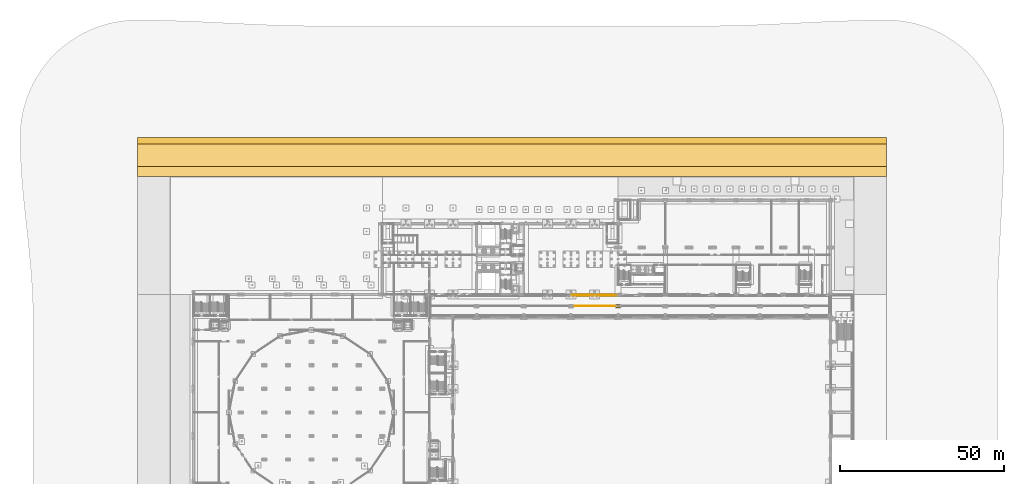
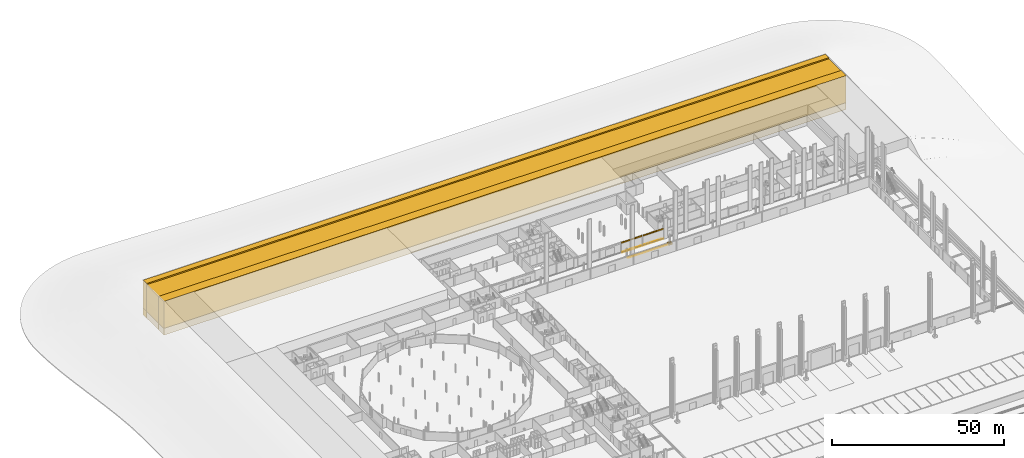
# One storey, part 140 of 148: 14 coverings.
"""IFC4 building model written with IfcOpenShell, lengths in metres."""

from ifc_helpers import new_model, si_unit, direction, frame, origin, origin_2d, place, context, subcontext, project, spatial, polyline, rectangle, outline, extrude, material, layer, layer_set, type_object, element, save


model = new_model("IFC4")

# Units and contexts
model_context = context("Model", 3, precision=1e-05, world=origin(), true_north=direction((0.0, 1.0)))
body_context = subcontext(model_context, "Body", "Model", "MODEL_VIEW")
ifc_project = project(units=[si_unit("LENGTHUNIT", "METRE"), si_unit("AREAUNIT", "SQUARE_METRE"), si_unit("VOLUMEUNIT", "CUBIC_METRE"), si_unit("PLANEANGLEUNIT", "RADIAN"), si_unit("MASSUNIT", "GRAM", prefix="KILO")], contexts=[model_context])

# Site, building, storey
site_placement = place(None, origin())
site = spatial("IfcSite", under=ifc_project, at=site_placement, CompositionType="ELEMENT")
building_placement = place(site_placement, origin())
building = spatial("IfcBuilding", under=site, at=building_placement, Name="Kupolbacken Congress Centre", CompositionType="ELEMENT")
storey_placement = place(building_placement, origin())
storey = spatial("IfcBuildingStorey", under=building, at=storey_placement, Name="L00", CompositionType="ELEMENT", Elevation=0.0)

# Coverings
ifc_material_1 = material(Name="Limestone cladding", Category="masonry")
ifc_layer_1 = layer(ifc_material_1, 0.1201171875)
ifc_layer_set_1 = layer_set([ifc_layer_1], Name="Limestone cladding")
covering_type_1 = type_object("IfcCoveringType", Name="CV1 limestone cladding band 120", PredefinedType="CLADDING", material=ifc_layer_set_1)
covering_1_placement = place(storey_placement, frame((126.0, 122.282470703125, 3.1201171875), z_axis=(0.0, 0.0, 1.0), x_axis=(1.0, 0.0, 0.0)))
element("IfcCovering", 1, at=covering_1_placement, inside=storey, type_object=covering_type_1, Name="E/T/S/L00/005/band", PredefinedType="CLADDING", context=body_context, shape_type="SweptSolid", body=[
    extrude(rectangle(XDim=6.89306640625, YDim=0.06494140625, at=origin_2d()), origin(), (0.0, 0.0, 1.0), 0.47998046875),
])
covering_2_placement = place(storey_placement, frame((133.20166015625, 122.282470703125, 3.1201171875), z_axis=(0.0, 0.0, 1.0), x_axis=(1.0, 0.0, 0.0)))
element("IfcCovering", 2, at=covering_2_placement, inside=storey, type_object=covering_type_1, Name="E/T/S/L00/006/band", PredefinedType="CLADDING", context=body_context, shape_type="SweptSolid", body=[
    extrude(rectangle(XDim=6.896484375, YDim=0.06494140625, at=origin_2d()), origin(), (0.0, 0.0, 1.0), 0.47998046875),
])
ifc_material_2 = material(Name="Limestone cladding", Category="masonry")
ifc_layer_2 = layer(ifc_material_2, 0.60009765625)
ifc_layer_set_2 = layer_set([ifc_layer_2], Name="Limestone cladding")
covering_type_2 = type_object("IfcCoveringType", Name="CV5 limestone arcade pier 600", PredefinedType="CLADDING", material=ifc_layer_set_2)
covering_3_placement = place(storey_placement, frame((0.0, 0.0, 0.02001953125)))
element("IfcCovering", 3, at=covering_3_placement, inside=storey, type_object=covering_type_2, Name="Mast pedestal", PredefinedType="CLADDING", context=body_context, shape_type="SweptSolid", body=[
    extrude(outline(polyline([(136.199951171875, 118.300048828125), (136.199951171875, 119.300048828125), (137.39990234375, 119.300048828125), (137.39990234375, 118.300048828125), (136.199951171875, 118.300048828125)]), holes=[polyline([(137.002197265625, 118.82666015625), (136.9970703125, 118.852783203125), (136.98828125, 118.8779296875), (136.9765625, 118.902099609375), (136.9619140625, 118.924072265625), (136.944091796875, 118.944091796875), (136.924072265625, 118.9619140625), (136.902099609375, 118.9765625), (136.8779296875, 118.98828125), (136.852783203125, 118.9970703125), (136.82666015625, 119.002197265625), (136.800048828125, 119.00390625), (136.7734375, 119.002197265625), (136.747314453125, 118.9970703125), (136.721923828125, 118.98828125), (136.697998046875, 118.9765625), (136.67578125, 118.9619140625), (136.65576171875, 118.944091796875), (136.63818359375, 118.924072265625), (136.623291015625, 118.902099609375), (136.611572265625, 118.8779296875), (136.60302734375, 118.852783203125), (136.597900390625, 118.82666015625), (136.59619140625, 118.800048828125), (136.597900390625, 118.7734375), (136.60302734375, 118.747314453125), (136.611572265625, 118.721923828125), (136.623291015625, 118.697998046875), (136.63818359375, 118.67578125), (136.65576171875, 118.65576171875), (136.67578125, 118.63818359375), (136.697998046875, 118.623291015625), (136.721923828125, 118.611572265625), (136.747314453125, 118.60302734375), (136.7734375, 118.597900390625), (136.800048828125, 118.59619140625), (136.82666015625, 118.597900390625), (136.852783203125, 118.60302734375), (136.8779296875, 118.611572265625), (136.902099609375, 118.623291015625), (136.924072265625, 118.63818359375), (136.944091796875, 118.65576171875), (136.9619140625, 118.67578125), (136.9765625, 118.697998046875), (136.98828125, 118.721923828125), (136.9970703125, 118.747314453125), (137.002197265625, 118.7734375), (137.00390625, 118.800048828125), (137.002197265625, 118.82666015625)])]), origin(), (0.0, 0.0, 1.0), 0.60009765625),
])
ifc_material_3 = material(Name="Limestone cladding", Category="masonry")
ifc_layer_3 = layer(ifc_material_3, 0.02001953125)
ifc_layer_set_3 = layer_set([ifc_layer_3], Name="Limestone cladding")
covering_type_3 = type_object("IfcCoveringType", Name="GF1 limestone paving 20", PredefinedType="FLOORING", material=ifc_layer_set_3)
covering_4_placement = place(storey_placement, origin())
element("IfcCovering", 4, at=covering_4_placement, inside=storey, type_object=covering_type_3, Name="Bay and lane marking", PredefinedType="FLOORING", context=body_context, shape_type="SweptSolid", body=[
    extrude(outline(polyline([(136.361328125, 118.993896484375), (136.340576171875, 118.939208984375), (136.3291015625, 118.893798828125), (136.322021484375, 118.84375), (122.8779296875, 118.84375), (122.870849609375, 118.893798828125), (122.859375, 118.939208984375), (122.838623046875, 118.993896484375), (136.361328125, 118.993896484375)])), origin(), (0.0, 0.0, 1.0), 0.02001953125),
])
ifc_material_4 = material(Name="Asphalt", Category="masonry")
ifc_layer_4 = layer(ifc_material_4, 0.02001953125)
ifc_layer_set_4 = layer_set([ifc_layer_4], Name="Asphalt")
covering_type_4 = type_object("IfcCoveringType", Name="GF3 asphalt dock hardstanding 20", PredefinedType="FLOORING", material=ifc_layer_set_4)
covering_5_placement = place(storey_placement, origin())
element("IfcCovering", 5, at=covering_5_placement, inside=storey, type_object=covering_type_4, Name="Service lane asphalt", PredefinedType="FLOORING", context=body_context, shape_type="SweptSolid", body=[
    extrude(outline(polyline([(122.666748046875, 122.0009765625), (122.70458984375, 122.02880859375), (122.739501953125, 122.060546875), (122.774169921875, 122.099609375), (129.225830078125, 122.099609375), (129.260498046875, 122.060546875), (129.29541015625, 122.02880859375), (129.333251953125, 122.0009765625), (129.373779296875, 121.9765625), (129.3388671875, 121.99755859375), (122.6611328125, 121.99755859375), (122.626220703125, 121.9765625), (122.666748046875, 122.0009765625)])), origin(), (0.0, 0.0, 1.0), 0.02001953125),
])
covering_6_placement = place(storey_placement, origin())
element("IfcCovering", 6, at=covering_6_placement, inside=storey, type_object=covering_type_4, Name="Service lane asphalt", PredefinedType="FLOORING", context=body_context, shape_type="SweptSolid", body=[
    extrude(outline(polyline([(129.86669921875, 122.0009765625), (129.904541015625, 122.02880859375), (129.939453125, 122.060546875), (129.97412109375, 122.099609375), (135.917236328125, 122.099609375), (135.91357421875, 122.12548828125), (135.900146484375, 122.3974609375), (136.320068359375, 122.3974609375), (136.322265625, 122.352783203125), (136.3291015625, 122.306396484375), (136.340576171875, 122.2607421875), (136.3564453125, 122.21630859375), (136.376708984375, 122.173583984375), (136.40087890625, 122.13330078125), (136.428955078125, 122.095458984375), (136.460693359375, 122.060546875), (136.49560546875, 122.02880859375), (136.533203125, 122.0009765625), (136.57373046875, 121.9765625), (136.538818359375, 121.99755859375), (129.861083984375, 121.99755859375), (129.826416015625, 121.9765625), (129.86669921875, 122.0009765625)])), origin(), (0.0, 0.0, 1.0), 0.02001953125),
])
ifc_material_5 = material(Name="Granite setts", Category="masonry")
ifc_layer_5 = layer(ifc_material_5, 0.10009765625)
ifc_layer_set_5 = layer_set([ifc_layer_5], Name="Granite setts")
covering_type_5 = type_object("IfcCoveringType", Name="GR3 granite sett paving 100", PredefinedType="FLOORING", material=ifc_layer_set_5)
covering_7_placement = place(storey_placement, origin())
element("IfcCovering", 7, at=covering_7_placement, inside=storey, type_object=covering_type_5, Name="Granite kerb edging", PredefinedType="FLOORING", context=body_context, shape_type="SweptSolid", body=[
    extrude(outline(polyline([(129.1201171875, 122.3974609375), (129.122314453125, 122.352783203125), (129.129150390625, 122.306396484375), (129.140625, 122.2607421875), (129.156494140625, 122.21630859375), (129.176513671875, 122.173583984375), (129.200927734375, 122.13330078125), (129.225830078125, 122.099609375), (122.774169921875, 122.099609375), (122.799072265625, 122.13330078125), (122.823486328125, 122.173583984375), (122.843505859375, 122.21630859375), (122.859375, 122.2607421875), (122.870849609375, 122.306396484375), (122.877685546875, 122.352783203125), (122.8798828125, 122.3974609375), (129.1201171875, 122.3974609375)])), origin(), (0.0, 0.0, 1.0), 0.10009765625),
])
covering_8_placement = place(storey_placement, origin())
element("IfcCovering", 8, at=covering_8_placement, inside=storey, type_object=covering_type_5, Name="Granite kerb edging", PredefinedType="FLOORING", context=body_context, shape_type="SweptSolid", body=[
    extrude(outline(polyline([(135.900146484375, 122.3974609375), (135.91357421875, 122.12548828125), (135.917236328125, 122.099609375), (129.97412109375, 122.099609375), (129.9990234375, 122.13330078125), (130.0234375, 122.173583984375), (130.04345703125, 122.21630859375), (130.059326171875, 122.2607421875), (130.07080078125, 122.306396484375), (130.07763671875, 122.352783203125), (130.079833984375, 122.3974609375), (135.900146484375, 122.3974609375)])), origin(), (0.0, 0.0, 1.0), 0.10009765625),
])
ifc_material_6 = material(Name="Made ground", Category="soil")
ifc_layer_6 = layer(ifc_material_6, 2.39990234375)
ifc_layer_set_6 = layer_set([ifc_layer_6], Name="Made ground")
covering_type_6 = type_object("IfcCoveringType", Name="GR5 earthworks, made ground", PredefinedType="FLOORING", material=ifc_layer_set_6)
covering_9_placement = place(storey_placement, frame((0.0, 0.0, -2.5)))
element("IfcCovering", 9, at=covering_9_placement, inside=storey, type_object=covering_type_6, Name="Earthworks, upper street footway, made ground", PredefinedType="FLOORING", context=body_context, shape_type="SweptSolid", body=[
    extrude(outline(polyline([(-10.0, 158.39990234375), (-10.0, 161.39990234375), (218.800048828125, 161.39990234375), (218.800048828125, 158.39990234375), (208.800048828125, 158.39990234375), (0.0, 158.39990234375), (-10.0, 158.39990234375)])), origin(), (0.0, 0.0, 1.0), 9.60009765625),
])
covering_10_placement = place(storey_placement, frame((0.0, 0.0, -2.5)))
element("IfcCovering", 10, at=covering_10_placement, inside=storey, type_object=covering_type_6, Name="Earthworks, upper street carriageway, made ground", PredefinedType="FLOORING", context=body_context, shape_type="SweptSolid", body=[
    extrude(outline(polyline([(-10.0, 161.39990234375), (-10.0, 168.39990234375), (218.800048828125, 168.39990234375), (218.800048828125, 161.39990234375), (-10.0, 161.39990234375)])), origin(), (0.0, 0.0, 1.0), 9.449951171875),
])
covering_11_placement = place(storey_placement, frame((0.0, 0.0, -2.5)))
element("IfcCovering", 11, at=covering_11_placement, inside=storey, type_object=covering_type_6, Name="Earthworks, upper street verge, made ground", PredefinedType="FLOORING", context=body_context, shape_type="SweptSolid", body=[
    extrude(outline(polyline([(-10.0, 168.39990234375), (-10.0, 170.39990234375), (218.800048828125, 170.39990234375), (218.800048828125, 168.39990234375), (-10.0, 168.39990234375)])), origin(), (0.0, 0.0, 1.0), 9.89990234375),
])
ifc_material_7 = material(Name="Clay till", Category="soil")
ifc_layer_7 = layer(ifc_material_7, 2.39990234375)
ifc_layer_set_7 = layer_set([ifc_layer_7], Name="Clay till")
covering_type_7 = type_object("IfcCoveringType", Name="GR6 earthworks, clay till", PredefinedType="FLOORING", material=ifc_layer_set_7)
covering_12_placement = place(storey_placement, frame((0.0, 0.0, -4.89990234375)))
element("IfcCovering", 12, at=covering_12_placement, inside=storey, type_object=covering_type_7, Name="Earthworks, upper street footway, clay till", PredefinedType="FLOORING", context=body_context, shape_type="SweptSolid", body=[
    extrude(outline(polyline([(-10.0, 158.39990234375), (-10.0, 161.39990234375), (218.800048828125, 161.39990234375), (218.800048828125, 158.39990234375), (208.800048828125, 158.39990234375), (0.0, 158.39990234375), (-10.0, 158.39990234375)])), origin(), (0.0, 0.0, 1.0), 2.39990234375),
])
covering_13_placement = place(storey_placement, frame((0.0, 0.0, -4.89990234375)))
element("IfcCovering", 13, at=covering_13_placement, inside=storey, type_object=covering_type_7, Name="Earthworks, upper street carriageway, clay till", PredefinedType="FLOORING", context=body_context, shape_type="SweptSolid", body=[
    extrude(outline(polyline([(-10.0, 161.39990234375), (-10.0, 168.39990234375), (218.800048828125, 168.39990234375), (218.800048828125, 161.39990234375), (-10.0, 161.39990234375)])), origin(), (0.0, 0.0, 1.0), 2.39990234375),
])
covering_14_placement = place(storey_placement, frame((0.0, 0.0, -4.89990234375)))
element("IfcCovering", 14, at=covering_14_placement, inside=storey, type_object=covering_type_7, Name="Earthworks, upper street verge, clay till", PredefinedType="FLOORING", context=body_context, shape_type="SweptSolid", body=[
    extrude(outline(polyline([(-10.0, 168.39990234375), (-10.0, 170.39990234375), (218.800048828125, 170.39990234375), (218.800048828125, 168.39990234375), (-10.0, 168.39990234375)])), origin(), (0.0, 0.0, 1.0), 2.39990234375),
])

save(model, "model.ifc")
